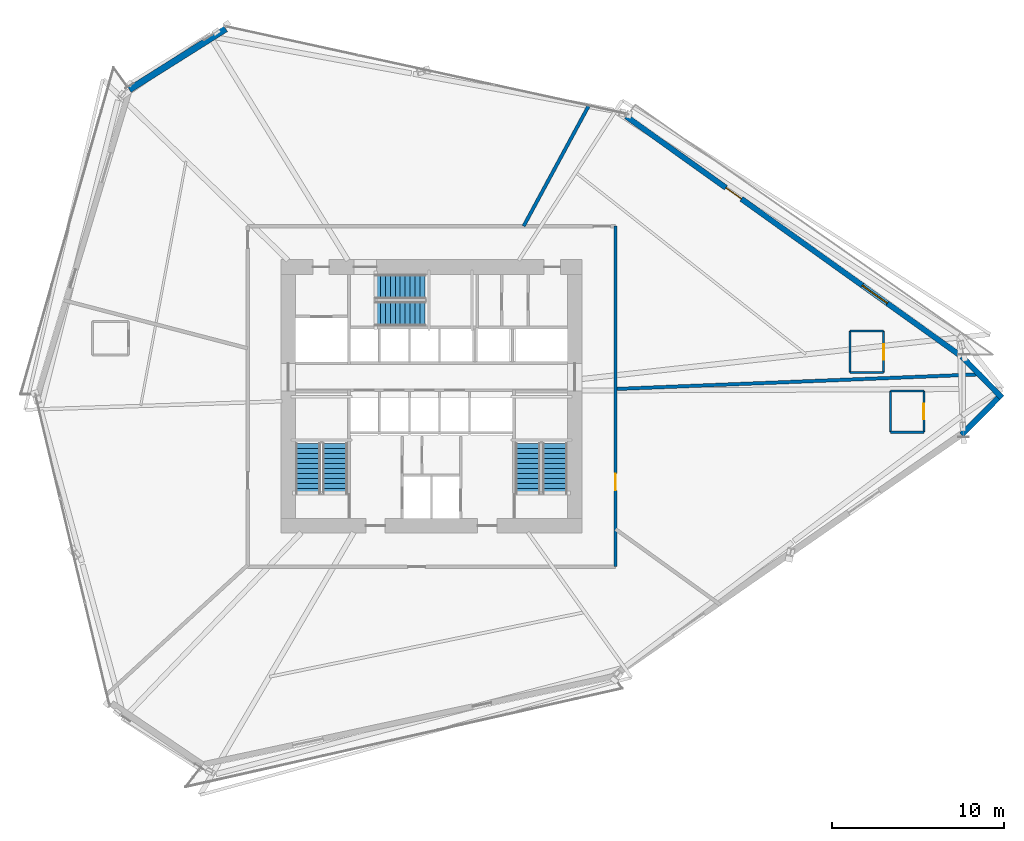
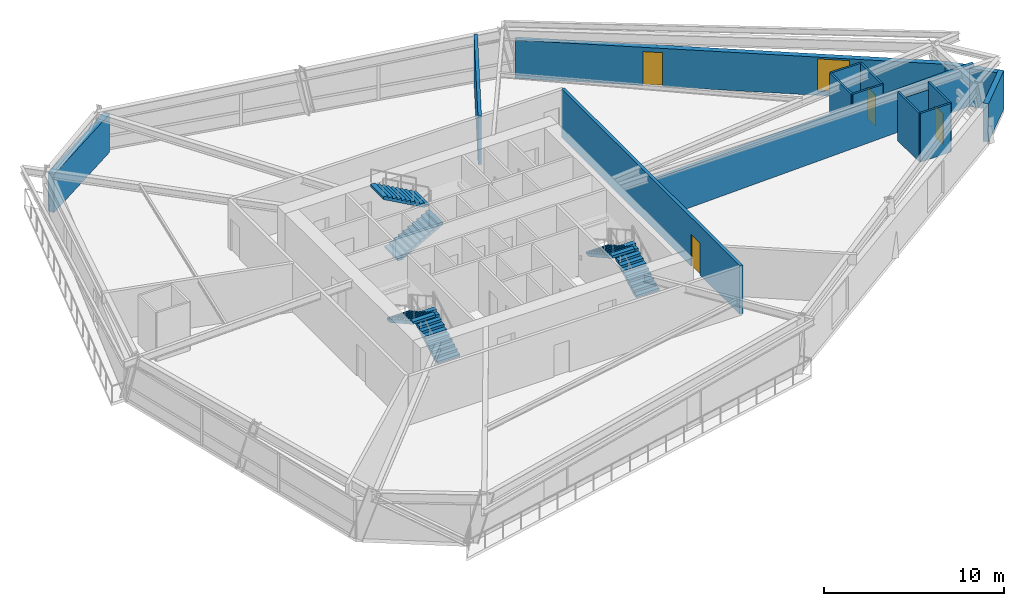
# One storey, part 18 of 21: 15 walls, 6 stair flights, 4 doors, 1 window, 5 openings, 3 elements without a shape of their own.
"""IFC4 building model written with IfcOpenShell, lengths in metres."""

import ifcopenshell
import ifcopenshell.guid

model = None  # the IFC model being written
_history = None  # IfcOwnerHistory: only IFC2X3 demands one
_inside = {}  # id of a spatial element -> (the spatial element, [elements in it])
_under = {}  # id of a project, library or spatial element -> (it, [spatial elements below it])
_declared = {}  # id of a project -> (the project, [libraries it declares])
_typed = {}  # id of a type object -> (the type object, [elements of that type])
_made_of = {}  # id of a material, layer set ... -> (it, [elements and type objects made of it])


def new_model(schema):
    """Start an empty IFC model of exactly this schema.

    Asked for "IFC4X3", IfcOpenShell would pick the latest addendum, in which some entities
    have other attributes; the version numbers below select the first issue.
    IFC2X3 requires an IfcOwnerHistory on every rooted entity: one is made here for all.
    """
    global model, _history
    if schema == "IFC4X3":
        model = ifcopenshell.file(schema_version=(4, 3, 0, 0))
    else:
        model = ifcopenshell.file(schema=schema)
    _inside.clear()
    _under.clear()
    _declared.clear()
    _typed.clear()
    _made_of.clear()
    _history = None
    if model.schema == "IFC2X3":
        org = make("IfcOrganization", Name="unknown")
        user = make(
            "IfcPersonAndOrganization",
            ThePerson=make("IfcPerson", FamilyName="unknown"),
            TheOrganization=org,
        )
        app = make(
            "IfcApplication",
            ApplicationDeveloper=org,
            Version="unknown",
            ApplicationFullName="unknown",
            ApplicationIdentifier="unknown",
        )
        _history = make(
            "IfcOwnerHistory",
            OwningUser=user,
            OwningApplication=app,
            ChangeAction="ADDED",
            CreationDate=0,
        )
    return model


def make(cls, **values):
    """One entity of the class cls with the attributes given. An attribute that is None is left unset."""
    return model.create_entity(
        cls, **{name: value for name, value in values.items() if value is not None}
    )


def rooted(cls, **values):
    """An entity with a GlobalId (a new one), such as an element, a storey or a relation."""
    return make(cls, GlobalId=ifcopenshell.guid.new(), OwnerHistory=_history, **values)


def si_unit(unit_type, name, prefix=None):
    """IfcSIUnit, for example si_unit("LENGTHUNIT", "METRE", prefix="MILLI")."""
    return make("IfcSIUnit", UnitType=unit_type, Prefix=prefix, Name=name)


def assignment(units):
    """IfcUnitAssignment: the units of a project."""
    return None if units is None else make("IfcUnitAssignment", Units=units)


def point(xyz):
    """IfcCartesianPoint."""
    return None if xyz is None else make("IfcCartesianPoint", Coordinates=xyz)


def direction(xyz):
    """IfcDirection."""
    return None if xyz is None else make("IfcDirection", DirectionRatios=xyz)


def frame(location, z_axis=None, x_axis=None):
    """IfcAxis2Placement3D, a coordinate frame: its origin and axes. An axis left out is left unset."""
    return make(
        "IfcAxis2Placement3D",
        Location=point(location),
        Axis=direction(z_axis),
        RefDirection=direction(x_axis),
    )


def frame_2d(location, x_axis=None):
    """IfcAxis2Placement2D, a coordinate frame in the plane: its origin and x axis."""
    return make(
        "IfcAxis2Placement2D", Location=point(location), RefDirection=direction(x_axis)
    )


def origin():
    """The frame at (0, 0, 0) with its axes left unset."""
    return frame((0.0, 0.0, 0.0))


def place(relative_to, where):
    """IfcLocalPlacement: puts the frame where relative to a parent placement (None: the world)."""
    return make(
        "IfcLocalPlacement", PlacementRelTo=relative_to, RelativePlacement=where
    )


def context(
    kind, dimensions, precision=None, world=None, true_north=None, identifier=None
):
    """IfcGeometricRepresentationContext, for example the 3D "Model" context."""
    return make(
        "IfcGeometricRepresentationContext",
        ContextIdentifier=identifier,
        ContextType=kind,
        CoordinateSpaceDimension=dimensions,
        Precision=precision,
        WorldCoordinateSystem=world,
        TrueNorth=true_north,
    )


def subcontext(parent, identifier, kind, view, scale=None):
    """IfcGeometricRepresentationSubContext, for example "Body" below "Model"."""
    return make(
        "IfcGeometricRepresentationSubContext",
        ContextIdentifier=identifier,
        ContextType=kind,
        ParentContext=parent,
        TargetScale=scale,
        TargetView=view,
    )


def project(units=None, contexts=None):
    """IfcProject with its units and contexts."""
    return rooted(
        "IfcProject",
        Name="project",
        RepresentationContexts=contexts,
        UnitsInContext=assignment(units),
    )


def spatial(cls, under=None, at=None, **own):
    """A site, building, storey or space (cls), placed at a placement, below another one or the project."""
    s = rooted(cls, ObjectPlacement=at, **own)
    if under is not None:
        _under.setdefault(under.id(), (under, []))[1].append(s)
    return s


def polyline(points):
    """IfcPolyline through the points."""
    return make("IfcPolyline", Points=[point(p) for p in points])


def profile(cls, at=None, kind="AREA", **sizes):
    """A parametric profile (cls). Its sizes go by their IFC names, for example OverallWidth=200.0."""
    return make(cls, ProfileType=kind, Position=at, **sizes)


def rectangle(**sizes):
    """IfcRectangleProfileDef."""
    return profile("IfcRectangleProfileDef", **sizes)


def outline(outer, holes=None, kind="AREA"):
    """IfcArbitraryClosedProfileDef: a profile drawn as a closed curve; with holes, ...WithVoids."""
    if holes is None:
        return make("IfcArbitraryClosedProfileDef", ProfileType=kind, OuterCurve=outer)
    return make(
        "IfcArbitraryProfileDefWithVoids",
        ProfileType=kind,
        OuterCurve=outer,
        InnerCurves=holes,
    )


def extrude(swept, where, along, depth):
    """IfcExtrudedAreaSolid: the profile swept, set in the frame where, extruded along a direction by depth."""
    return make(
        "IfcExtrudedAreaSolid",
        SweptArea=swept,
        Position=where,
        ExtrudedDirection=direction(along),
        Depth=depth,
    )


def shape(context_of_items, identifier, shape_type, items):
    """IfcShapeRepresentation: the items that make up one representation, for example the "Body"."""
    return make(
        "IfcShapeRepresentation",
        ContextOfItems=context_of_items,
        RepresentationIdentifier=identifier,
        RepresentationType=shape_type,
        Items=items,
    )


def source(mapping_origin, context_of_items, identifier, shape_type, items):
    """IfcRepresentationMap: a shape defined once, which mapped items show again and again."""
    return make(
        "IfcRepresentationMap",
        MappingOrigin=mapping_origin,
        MappedRepresentation=shape(context_of_items, identifier, shape_type, items),
    )


def transform(
    local_origin,
    x_axis=None,
    y_axis=None,
    z_axis=None,
    scale=None,
    scale2=None,
    scale3=None,
    uniform=True,
):
    """IfcCartesianTransformationOperator3D, or its non-uniform kind. x_axis, y_axis, z_axis: its Axis1, 2, 3."""
    if uniform:
        return make(
            "IfcCartesianTransformationOperator3D",
            Axis1=direction(x_axis),
            Axis2=direction(y_axis),
            LocalOrigin=point(local_origin),
            Scale=scale,
            Axis3=direction(z_axis),
        )
    return make(
        "IfcCartesianTransformationOperator3DnonUniform",
        Axis1=direction(x_axis),
        Axis2=direction(y_axis),
        LocalOrigin=point(local_origin),
        Scale=scale,
        Axis3=direction(z_axis),
        Scale2=scale2,
        Scale3=scale3,
    )


def mapped(mapping_source, mapping_target):
    """IfcMappedItem: shows the shape of a source again, moved by a transform."""
    return make(
        "IfcMappedItem", MappingSource=mapping_source, MappingTarget=mapping_target
    )


def material(Name=None, Category=None):
    """IfcMaterial."""
    return make("IfcMaterial", Name=Name, Category=Category)


def layer(
    of_material, thickness, ventilated=None, Name=None, Category=None, Priority=None
):
    """IfcMaterialLayer: one layer of a wall or slab, of a material (None: an air gap)."""
    return make(
        "IfcMaterialLayer",
        Material=of_material,
        LayerThickness=thickness,
        IsVentilated=ventilated,
        Name=Name,
        Category=Category,
        Priority=Priority,
    )


def layer_set(layers, Name=None):
    """IfcMaterialLayerSet."""
    return make("IfcMaterialLayerSet", MaterialLayers=layers, LayerSetName=Name)


def made_of(thing, what):
    """Note that an element or type object is made of a material, layer set ...; save() writes the relation."""
    if what is not None:
        _made_of.setdefault(what.id(), (what, []))[1].append(thing)
    return thing


def type_object(cls, material=None, **own):
    """A type object (cls), such as IfcWallType, which elements share."""
    return made_of(rooted(cls, **own), material)


def type_shapes(of_type, sources):
    """Give a type object the sources (RepresentationMaps) that its elements show as mapped items."""
    of_type.RepresentationMaps = sources


def element(
    cls,
    number,
    at=None,
    inside=None,
    cuts=None,
    type_object=None,
    material=None,
    context=None,
    identifier="Body",
    shape_type=None,
    held_by="IfcProductDefinitionShape",
    body=None,
    shapes=None,
    **own,
):
    """One element of the class cls, such as IfcWall. Its Tag is "e" and its number.

    at: its placement. inside: the storey or other place that contains it. cuts: it is an
    opening in that element (IfcRelVoidsElement). A single representation is given by context,
    identifier, shape_type and body (its items); several are given by shapes. held_by: the class
    of the entity that holds the representations. save() writes the other relations.
    """
    e = rooted(cls, Tag="e%d" % number, ObjectPlacement=at, **own)
    if body is not None:
        shapes = [shape(context, identifier, shape_type, body)]
    if shapes is not None:
        e.Representation = make(held_by, Representations=shapes)
    if inside is not None:
        _inside.setdefault(inside.id(), (inside, []))[1].append(e)
    if cuts is not None:
        rooted(
            "IfcRelVoidsElement", RelatingBuildingElement=cuts, RelatedOpeningElement=e
        )
    if type_object is not None:
        _typed.setdefault(type_object.id(), (type_object, []))[1].append(e)
    return made_of(e, material)


def fill(opening, filler):
    """IfcRelFillsElement: the door or window that sits in an opening."""
    return rooted(
        "IfcRelFillsElement",
        RelatingOpeningElement=opening,
        RelatedBuildingElement=filler,
    )


def aggregate(whole, parts):
    """IfcRelAggregates: a whole, such as a stair, and the parts it consists of."""
    return rooted("IfcRelAggregates", RelatingObject=whole, RelatedObjects=parts)


def save(model, path):
    """Write the relations noted so far, then the file.

    IfcRelAggregates (storeys below a building ...), IfcRelContainedInSpatialStructure (elements
    in a storey), IfcRelDefinesByType, IfcRelAssociatesMaterial and IfcRelDeclares: one each for
    every whole, place, type object, material and project.
    """
    for whole, parts in _under.values():
        aggregate(whole, parts)
    for where, things in _inside.values():
        rooted(
            "IfcRelContainedInSpatialStructure",
            RelatedElements=things,
            RelatingStructure=where,
        )
    for kind, things in _typed.values():
        rooted("IfcRelDefinesByType", RelatedObjects=things, RelatingType=kind)
    for what, things in _made_of.values():
        rooted("IfcRelAssociatesMaterial", RelatedObjects=things, RelatingMaterial=what)
    for by, libraries in _declared.values():
        rooted("IfcRelDeclares", RelatingContext=by, RelatedDefinitions=libraries)
    model.write(path)


model = new_model("IFC4")

# Units and contexts
model_context = context("Model", 3, precision=1e-05, world=origin(), true_north=direction((0.0, 1.0)))
body_context = subcontext(model_context, "Body", "Model", "MODEL_VIEW")
ifc_project = project(units=[si_unit("LENGTHUNIT", "METRE"), si_unit("AREAUNIT", "SQUARE_METRE"), si_unit("VOLUMEUNIT", "CUBIC_METRE"), si_unit("PLANEANGLEUNIT", "RADIAN"), si_unit("MASSUNIT", "GRAM", prefix="KILO")], contexts=[model_context])

# Site, building, storey
site_placement = place(None, origin())
site = spatial("IfcSite", under=ifc_project, at=site_placement, CompositionType="ELEMENT")
building_placement = place(site_placement, origin())
building = spatial("IfcBuilding", under=site, at=building_placement, Name="Olszyna Solenne Hotel", CompositionType="ELEMENT")
storey_placement = place(building_placement, frame((0.0, 0.0, 39.949951171875)))
storey = spatial("IfcBuildingStorey", under=building, at=storey_placement, Name="L09", CompositionType="ELEMENT", Elevation=39.949951171875)

# Wall, openings, door, window
ifc_material_1 = material(Name="Precast concrete C45/55", Category="concrete")
ifc_layer_1 = layer(ifc_material_1, 0.320068359375, Name="Precast concrete C45/55")
ifc_layer_set_1 = layer_set([ifc_layer_1], Name="Precast concrete C45/55")
wall_type_1 = type_object("IfcWallType", Name="WL-EX320", PredefinedType="SOLIDWALL", material=ifc_layer_set_1)
wall_1_placement = place(storey_placement, frame((49.31884765625, 42.885009765625, 0.0), z_axis=(0.0, 0.0, 1.0), x_axis=(0.813214896831, -0.581963513953, 0.0)))
wall_1 = element("IfcWall", 1, at=wall_1_placement, inside=storey, type_object=wall_type_1, Name="Exterior terracotta-precast frame wall WL-EX320 EW-L09-07", PredefinedType="SOLIDWALL", context=body_context, shape_type="SweptSolid", body=[
    extrude(rectangle(XDim=24.03173828125, YDim=0.320068359375, at=frame_2d((12.015869140625, 0.0))), origin(), (0.0, 0.0, 1.0), 2.592041015625),
])
opening_1_placement = place(wall_1_placement, frame((7.139892578125, 0.0, 0.0)))
opening_1 = element("IfcOpeningElement", 2, at=opening_1_placement, cuts=wall_1, Name="Opening LDG-L09-1", PredefinedType="OPENING", context=body_context, shape_type="SweptSolid", body=[
    extrude(rectangle(XDim=1.10009765625, YDim=2.300048828125, at=frame_2d((0.550048828125, 1.14990234375))), frame((0.0, 0.169921875, 0.0), z_axis=(0.0, -1.0, 0.0), x_axis=(1.0, 0.0, 0.0)), (0.0, 0.0, 1.0), 0.340087890625),
])
opening_2_placement = place(wall_1_placement, frame((16.884033203125, 0.0, 0.27197265625)))
opening_2 = element("IfcOpeningElement", 3, at=opening_2_placement, cuts=wall_1, Name="Opening WN-L09-038", PredefinedType="OPENING", context=body_context, shape_type="SweptSolid", body=[
    extrude(rectangle(XDim=1.800048828125, YDim=2.199951171875, at=frame_2d((0.89990234375, 1.10009765625))), frame((0.0, 0.169921875, 0.0), z_axis=(0.0, -1.0, 0.0), x_axis=(1.0, 0.0, 0.0)), (0.0, 0.0, 1.0), 0.340087890625),
])
ifc_material_2 = material(Name="Anodised bronze aluminium", Category="aluminium")
door_type_1 = type_object("IfcDoorType", Name="DR-LG1", OperationType="NOTDEFINED", PredefinedType="DOOR", material=ifc_material_2)
shared_shape_1 = source(origin(), body_context, "Body", "SweptSolid", [
    extrude(rectangle(XDim=1.10009765625, YDim=2.300048828125, at=frame_2d((0.550048828125, 1.14990234375))), frame((0.0, 0.02490234375, 0.0), z_axis=(0.0, -1.0, 0.0), x_axis=(1.0, 0.0, 0.0)), (0.0, 0.0, 1.0), 0.050048828125),
])
type_shapes(door_type_1, [shared_shape_1])
door_1_placement = place(opening_1_placement, origin())
door_1 = element("IfcDoor", 4, at=door_1_placement, inside=storey, type_object=door_type_1, Name="Exterior loggia balcony door DR-LG1 LDG-L09-1", OperationType="SINGLE_SWING_LEFT", OverallHeight=2.300048828125, OverallWidth=1.10009765625, PredefinedType="DOOR", context=body_context, shape_type="MappedRepresentation", body=[
    mapped(shared_shape_1, transform((0.0, 0.0, 0.0), x_axis=(1.0, 0.0, 0.0), y_axis=(0.0, 1.0, 0.0), z_axis=(0.0, 0.0, 1.0), scale=1.0)),
])
fill(opening_1, door_1)
ifc_material_3 = material(Name="Low-E triple glazing", Category="glass")
window_type = type_object("IfcWindowType", Name="WN-HT1", PartitioningType="SINGLE_PANEL", PredefinedType="WINDOW", material=ifc_material_3)
shared_shape_2 = source(origin(), body_context, "Body", "SweptSolid", [
    extrude(rectangle(XDim=1.800048828125, YDim=2.199951171875, at=frame_2d((0.89990234375, 1.10009765625))), frame((0.0, 0.030029296875, 0.0), z_axis=(0.0, -1.0, 0.0), x_axis=(1.0, 0.0, 0.0)), (0.0, 0.0, 1.0), 0.06005859375),
])
type_shapes(window_type, [shared_shape_2])
window_placement = place(opening_2_placement, origin())
window = element("IfcWindow", 5, at=window_placement, inside=storey, type_object=window_type, Name="Loggia room window WN-HT1 WN-L09-038", OverallHeight=2.199951171875, OverallWidth=1.800048828125, PartitioningType="SINGLE_PANEL", PredefinedType="WINDOW", context=body_context, shape_type="MappedRepresentation", body=[
    mapped(shared_shape_2, transform((0.0, 0.0, 0.0), x_axis=(1.0, 0.0, 0.0), y_axis=(0.0, 1.0, 0.0), z_axis=(0.0, 0.0, 1.0), scale=1.0)),
])
fill(opening_2, window)

# Walls
for number, where, z_axis, x_axis, name in (
    (6, (68.84033203125, 28.91796875, 0.0), (0.0, 0.0, 1.0), (0.697653069872, -0.716435757133, 0.0), "Exterior terracotta-precast frame wall WL-EX320 EW-L09-08"),
    (7, (71.180908203125, 26.739501953125, 0.0), (0.0, 0.0, 1.0), (-0.703859624923, -0.710339093957, 0.0), "Exterior terracotta-precast frame wall WL-EX320 EW-L09-09"),
):
    element("IfcWall", number, at=place(storey_placement, frame(where, z_axis=z_axis, x_axis=x_axis)), inside=storey, type_object=wall_type_1, Name=name, PredefinedType="SOLIDWALL", context=body_context, shape_type="SweptSolid", body=[
        extrude(rectangle(XDim=3.353515625, YDim=0.320068359375, at=frame_2d((1.6767578125, 0.0))), origin(), (0.0, 0.0, 1.0), 2.592041015625),
    ])
ifc_material_4 = material(Name="Terracotta cladding on precast concrete C45/55", Category="masonry")
ifc_layer_2 = layer(ifc_material_4, 0.3798828125, Name="Terracotta cladding on precast concrete C45/55")
ifc_layer_set_2 = layer_set([ifc_layer_2], Name="Terracotta cladding on precast concrete C45/55")
wall_type_2 = type_object("IfcWallType", Name="WL-EX380", PredefinedType="SOLIDWALL", material=ifc_layer_set_2)
wall_2_placement = place(storey_placement, frame((20.422119140625, 44.441650390625, 0.0), z_axis=(0.0, 0.0, 1.0), x_axis=(0.846162743233, 0.532924583749, 0.0)))
element("IfcWall", 8, at=wall_2_placement, inside=storey, type_object=wall_type_2, Name="Exterior terracotta-precast frame wall WL-EX380 EW-L09-05", PredefinedType="SOLIDWALL", context=body_context, shape_type="SweptSolid", body=[
    extrude(rectangle(XDim=6.631103515625, YDim=0.3798828125, at=frame_2d((3.3154296875, 0.0))), origin(), (0.0, 0.0, 1.0), 2.592041015625),
])

# Wall, opening, door
ifc_material_5 = material(Name="Acoustic gypsum partition", Category="gypsum")
ifc_layer_3 = layer(ifc_material_5, 0.125, Name="Acoustic gypsum partition")
ifc_layer_set_3 = layer_set([ifc_layer_3], Name="Acoustic gypsum partition")
wall_type_3 = type_object("IfcWallType", Name="WL-PT125", PredefinedType="PARTITIONING", material=ifc_layer_set_3)
wall_3_placement = place(storey_placement, frame((64.2919921875, 27.992919921875, 0.0), z_axis=(0.0, 0.0, 1.0), x_axis=(0.0, 1.0, 0.0)))
wall_3 = element("IfcWall", 9, at=wall_3_placement, inside=storey, type_object=wall_type_3, Name="Interior acoustic partition WL-PT125 PW-L09-0505", PredefinedType="PARTITIONING", context=body_context, shape_type="SweptSolid", body=[
    extrude(rectangle(XDim=2.400146484375, YDim=0.125, at=frame_2d((1.2001953125, 0.0))), origin(), (0.0, 0.0, 1.0), 3.300048828125),
])
opening_3_placement = place(wall_3_placement, frame((0.75, 0.0, 0.0)))
opening_3 = element("IfcOpeningElement", 10, at=opening_3_placement, cuts=wall_3, Name="Opening DR-L09-0108", PredefinedType="OPENING", context=body_context, shape_type="SweptSolid", body=[
    extrude(rectangle(XDim=0.89990234375, YDim=2.10009765625, at=frame_2d((0.449951171875, 1.050048828125))), frame((0.0, 0.072509765625, 0.0), z_axis=(0.0, -1.0, 0.0), x_axis=(1.0, 0.0, 0.0)), (0.0, 0.0, 1.0), 0.14501953125),
])
ifc_material_6 = material(Name="Timber hardwood", Category="wood")
door_type_2 = type_object("IfcDoorType", Name="DR-WC1", OperationType="NOTDEFINED", PredefinedType="DOOR", material=ifc_material_6)
shared_shape_3 = source(origin(), body_context, "Body", "SweptSolid", [
    extrude(rectangle(XDim=0.89990234375, YDim=2.10009765625, at=frame_2d((0.449951171875, 1.050048828125))), frame((0.0, 0.02490234375, 0.0), z_axis=(0.0, -1.0, 0.0), x_axis=(1.0, 0.0, 0.0)), (0.0, 0.0, 1.0), 0.050048828125),
])
type_shapes(door_type_2, [shared_shape_3])
door_2_placement = place(opening_3_placement, origin())
door_2 = element("IfcDoor", 11, at=door_2_placement, inside=storey, type_object=door_type_2, Name="En-Suite Bathroom Door DR-L09-0108", OperationType="SINGLE_SWING_RIGHT", OverallHeight=2.10009765625, OverallWidth=0.89990234375, PredefinedType="DOOR", context=body_context, shape_type="MappedRepresentation", body=[
    mapped(shared_shape_3, transform((0.0, 0.0, 0.0), x_axis=(1.0, 0.0, 0.0), y_axis=(0.0, 1.0, 0.0), z_axis=(0.0, 0.0, 1.0), scale=1.0)),
])
fill(opening_3, door_2)

# Walls
wall_4_placement = place(storey_placement, frame((64.2919921875, 30.39306640625, 0.0), z_axis=(0.0, 0.0, 1.0), x_axis=(-1.0, 0.0, 0.0)))
element("IfcWall", 12, at=wall_4_placement, inside=storey, type_object=wall_type_3, Name="Interior acoustic partition WL-PT125 PW-L09-0506", PredefinedType="PARTITIONING", context=body_context, shape_type="SweptSolid", body=[
    extrude(rectangle(XDim=1.949951171875, YDim=0.125, at=frame_2d((0.97509765625, 0.0))), origin(), (0.0, 0.0, 1.0), 3.300048828125),
])
wall_5_placement = place(storey_placement, frame((62.342041015625, 30.39306640625, 0.0), z_axis=(0.0, 0.0, 1.0), x_axis=(0.0, -1.0, 0.0)))
element("IfcWall", 13, at=wall_5_placement, inside=storey, type_object=wall_type_3, Name="Interior acoustic partition WL-PT125 PW-L09-0507", PredefinedType="PARTITIONING", context=body_context, shape_type="SweptSolid", body=[
    extrude(rectangle(XDim=2.400146484375, YDim=0.125, at=frame_2d((1.2001953125, 0.0))), origin(), (0.0, 0.0, 1.0), 3.300048828125),
])
wall_6_placement = place(storey_placement, frame((62.342041015625, 27.992919921875, 0.0), z_axis=(0.0, 0.0, 1.0), x_axis=(1.0, 0.0, 0.0)))
element("IfcWall", 14, at=wall_6_placement, inside=storey, type_object=wall_type_3, Name="Interior acoustic partition WL-PT125 PW-L09-0508", PredefinedType="PARTITIONING", context=body_context, shape_type="SweptSolid", body=[
    extrude(rectangle(XDim=1.949951171875, YDim=0.125, at=frame_2d((0.97509765625, 0.0))), origin(), (0.0, 0.0, 1.0), 3.300048828125),
])

# Wall, opening, door
wall_7_placement = place(storey_placement, frame((66.635009765625, 24.51611328125, 0.0), z_axis=(0.0, 0.0, 1.0), x_axis=(0.0, 1.0, 0.0)))
wall_7 = element("IfcWall", 15, at=wall_7_placement, inside=storey, type_object=wall_type_3, Name="Interior acoustic partition WL-PT125 PW-L09-0513", PredefinedType="PARTITIONING", context=body_context, shape_type="SweptSolid", body=[
    extrude(rectangle(XDim=2.39990234375, YDim=0.125, at=frame_2d((1.199951171875, 0.0))), origin(), (0.0, 0.0, 1.0), 3.300048828125),
])
opening_4_placement = place(wall_7_placement, frame((0.75, 0.0, 0.0)))
opening_4 = element("IfcOpeningElement", 16, at=opening_4_placement, cuts=wall_7, Name="Opening DR-L09-0110", PredefinedType="OPENING", context=body_context, shape_type="SweptSolid", body=[
    extrude(rectangle(XDim=0.89990234375, YDim=2.10009765625, at=frame_2d((0.449951171875, 1.050048828125))), frame((0.0, 0.072509765625, 0.0), z_axis=(0.0, -1.0, 0.0), x_axis=(1.0, 0.0, 0.0)), (0.0, 0.0, 1.0), 0.14501953125),
])
door_3_placement = place(opening_4_placement, origin())
door_3 = element("IfcDoor", 17, at=door_3_placement, inside=storey, type_object=door_type_2, Name="En-Suite Bathroom Door DR-L09-0110", OperationType="SINGLE_SWING_RIGHT", OverallHeight=2.10009765625, OverallWidth=0.89990234375, PredefinedType="DOOR", context=body_context, shape_type="MappedRepresentation", body=[
    mapped(shared_shape_3, transform((0.0, 0.0, 0.0), x_axis=(1.0, 0.0, 0.0), y_axis=(0.0, 1.0, 0.0), z_axis=(0.0, 0.0, 1.0), scale=1.0)),
])
fill(opening_4, door_3)

# Walls
wall_8_placement = place(storey_placement, frame((66.635009765625, 26.916015625, 0.0), z_axis=(0.0, 0.0, 1.0), x_axis=(-1.0, 0.0, 0.0)))
element("IfcWall", 18, at=wall_8_placement, inside=storey, type_object=wall_type_3, Name="Interior acoustic partition WL-PT125 PW-L09-0514", PredefinedType="PARTITIONING", context=body_context, shape_type="SweptSolid", body=[
    extrude(rectangle(XDim=1.949951171875, YDim=0.125, at=frame_2d((0.97509765625, 0.0))), origin(), (0.0, 0.0, 1.0), 2.795166015625),
])
wall_9_placement = place(storey_placement, frame((64.68505859375, 26.916015625, 0.0), z_axis=(0.0, 0.0, 1.0), x_axis=(0.0, -1.0, 0.0)))
element("IfcWall", 19, at=wall_9_placement, inside=storey, type_object=wall_type_3, Name="Interior acoustic partition WL-PT125 PW-L09-0515", PredefinedType="PARTITIONING", context=body_context, shape_type="SweptSolid", body=[
    extrude(rectangle(XDim=2.39990234375, YDim=0.125, at=frame_2d((1.199951171875, 0.0))), origin(), (0.0, 0.0, 1.0), 3.300048828125),
])
wall_10_placement = place(storey_placement, frame((64.68505859375, 24.51611328125, 0.0), z_axis=(0.0, 0.0, 1.0), x_axis=(1.0, 0.0, 0.0)))
element("IfcWall", 20, at=wall_10_placement, inside=storey, type_object=wall_type_3, Name="Interior acoustic partition WL-PT125 PW-L09-0516", PredefinedType="PARTITIONING", context=body_context, shape_type="SweptSolid", body=[
    extrude(rectangle(XDim=1.949951171875, YDim=0.125, at=frame_2d((0.97509765625, 0.0))), origin(), (0.0, 0.0, 1.0), 3.300048828125),
])
ifc_layer_4 = layer(ifc_material_5, 0.199951171875, Name="Acoustic gypsum partition")
ifc_layer_set_4 = layer_set([ifc_layer_4], Name="Acoustic gypsum partition")
wall_type_4 = type_object("IfcWallType", Name="WL-PT200", PredefinedType="PARTITIONING", material=ifc_layer_set_4)
wall_11_placement = place(storey_placement, frame((48.699951171875, 27.02978515625, 0.0), z_axis=(0.0, 0.0, 1.0), x_axis=(0.999194605592, 0.040126551766, 0.0)))
element("IfcWall", 21, at=wall_11_placement, inside=storey, type_object=wall_type_4, Name="Interior acoustic partition WL-PT200 PW-L09-0500", PredefinedType="PARTITIONING", context=body_context, shape_type="SweptSolid", body=[
    extrude(rectangle(XDim=21.343505859375, YDim=0.199951171875, at=frame_2d((10.671875, 0.0))), origin(), (0.0, 0.0, 1.0), 2.795166015625),
])
wall_12_placement = place(storey_placement, frame((43.354248046875, 36.5, 0.0), z_axis=(0.0, 0.0, 1.0), x_axis=(0.475722237769, 0.879595561887, 0.0)))
element("IfcWall", 22, at=wall_12_placement, inside=storey, type_object=wall_type_4, Name="Interior acoustic partition WL-PT200 PW-L09-0501", PredefinedType="PARTITIONING", context=body_context, shape_type="SweptSolid", body=[
    extrude(rectangle(XDim=7.937744140625, YDim=0.199951171875, at=frame_2d((3.96875, 0.0))), origin(), (0.0, 0.0, 1.0), 3.300048828125),
])

# Wall, opening, door
wall_13_placement = place(storey_placement, frame((48.699951171875, 16.699951171875, 0.0), z_axis=(0.0, 0.0, 1.0), x_axis=(0.0, 1.0, 0.0)))
wall_13 = element("IfcWall", 23, at=wall_13_placement, inside=storey, type_object=wall_type_4, Name="Interior acoustic partition WL-PT200 PW-L09-0520", PredefinedType="PARTITIONING", context=body_context, shape_type="SweptSolid", body=[
    extrude(rectangle(XDim=19.800048828125, YDim=0.199951171875, at=frame_2d((9.89990234375, 0.0))), origin(), (0.0, 0.0, 1.0), 3.300048828125),
])
opening_5_placement = place(wall_13_placement, frame((4.430908203125, 0.0, 0.0)))
opening_5 = element("IfcOpeningElement", 24, at=opening_5_placement, cuts=wall_13, Name="Opening DR-L09-0115", PredefinedType="OPENING", context=body_context, shape_type="SweptSolid", body=[
    extrude(rectangle(XDim=0.97998046875, YDim=2.14990234375, at=frame_2d((0.489990234375, 1.074951171875))), frame((0.0, 0.10986328125, 0.0), z_axis=(0.0, -1.0, 0.0), x_axis=(1.0, 0.0, 0.0)), (0.0, 0.0, 1.0), 0.219970703125),
])
door_type_3 = type_object("IfcDoorType", Name="DR-RM1", OperationType="NOTDEFINED", PredefinedType="DOOR", material=ifc_material_6)
shared_shape_4 = source(origin(), body_context, "Body", "SweptSolid", [
    extrude(rectangle(XDim=0.97998046875, YDim=2.14990234375, at=frame_2d((0.489990234375, 1.074951171875))), frame((0.0, 0.02490234375, 0.0), z_axis=(0.0, -1.0, 0.0), x_axis=(1.0, 0.0, 0.0)), (0.0, 0.0, 1.0), 0.050048828125),
])
type_shapes(door_type_3, [shared_shape_4])
door_4_placement = place(opening_5_placement, origin())
door_4 = element("IfcDoor", 25, at=door_4_placement, inside=storey, type_object=door_type_3, Name="Executive Reading Salon Entrance Door DR-L09-0115", OperationType="SINGLE_SWING_RIGHT", OverallHeight=2.14990234375, OverallWidth=0.97998046875, PredefinedType="DOOR", context=body_context, shape_type="MappedRepresentation", body=[
    mapped(shared_shape_4, transform((0.0, 0.0, 0.0), x_axis=(1.0, 0.0, 0.0), y_axis=(0.0, 1.0, 0.0), z_axis=(0.0, 0.0, 1.0), scale=1.0)),
])
fill(opening_5, door_4)

# Stair, stair flights
ifc_material_7 = material(Name="Concrete C40/50", Category="concrete")
stair_type = type_object("IfcStairType", Name="STR-C1", PredefinedType="TWO_QUARTER_WINDING_STAIR", material=ifc_material_7)
stair_1_placement = place(storey_placement, origin())
stair_1 = element("IfcStair", 26, at=stair_1_placement, inside=storey, type_object=stair_type, Name="L09 ST1", PredefinedType="TWO_QUARTER_WINDING_STAIR")
stair_flight_type = type_object("IfcStairFlightType", Name="FLT-C1", PredefinedType="STRAIGHT", material=ifc_material_7)
stair_flight_1_placement = place(storey_placement, frame((32.39501953125, 20.949951171875, 0.0), z_axis=(0.0, 0.0, 1.0), x_axis=(0.0, 1.0, 0.0)))
stair_flight_1 = element("IfcStairFlight", 27, at=stair_flight_1_placement, type_object=stair_flight_type, Name="ST1 flight 1", NumberOfRisers=11, NumberOfTreads=10, PredefinedType="STRAIGHT", RiserHeight=0.161363636, TreadLength=0.29, context=body_context, shape_type="SweptSolid", body=[
    extrude(outline(polyline([(0.0, 0.0), (0.0, 0.161376953125), (0.2900390625, 0.161376953125), (0.2900390625, 0.32275390625), (0.580078125, 0.32275390625), (0.580078125, 0.484130859375), (0.8701171875, 0.484130859375), (0.8701171875, 0.6455078125), (1.159912109375, 0.6455078125), (1.159912109375, 0.806884765625), (1.449951171875, 0.806884765625), (1.449951171875, 0.96826171875), (1.739990234375, 0.96826171875), (1.739990234375, 1.129638671875), (2.030029296875, 1.129638671875), (2.030029296875, 1.291015625), (2.320068359375, 1.291015625), (2.320068359375, 1.452392578125), (2.610107421875, 1.452392578125), (2.610107421875, 1.613525390625), (2.89990234375, 1.613525390625), (2.89990234375, 1.77490234375), (2.89990234375, 1.442138671875), (0.308349609375, 0.0), (0.0, 0.0)])), frame((0.0, 0.72509765625, 0.0), z_axis=(0.0, -1.0, 0.0), x_axis=(1.0, 0.0, 0.0)), (0.0, 0.0, 1.0), 1.449951171875),
])
stair_flight_2_placement = place(storey_placement, frame((30.824951171875, 23.85009765625, 1.775146484375), z_axis=(0.0, 0.0, 1.0), x_axis=(0.0, -1.0, 0.0)))
stair_flight_2 = element("IfcStairFlight", 28, at=stair_flight_2_placement, type_object=stair_flight_type, Name="ST1 flight 2", NumberOfRisers=11, NumberOfTreads=10, PredefinedType="STRAIGHT", RiserHeight=0.161363636, TreadLength=0.29, context=body_context, shape_type="SweptSolid", body=[
    extrude(outline(polyline([(0.0, 0.0), (0.0, 0.161376953125), (0.2900390625, 0.161376953125), (0.2900390625, 0.32275390625), (0.580078125, 0.32275390625), (0.580078125, 0.484130859375), (0.8701171875, 0.484130859375), (0.8701171875, 0.6455078125), (1.159912109375, 0.6455078125), (1.159912109375, 0.806884765625), (1.449951171875, 0.806884765625), (1.449951171875, 0.96826171875), (1.739990234375, 0.96826171875), (1.739990234375, 1.129638671875), (2.030029296875, 1.129638671875), (2.030029296875, 1.291015625), (2.320068359375, 1.291015625), (2.320068359375, 1.452392578125), (2.610107421875, 1.452392578125), (2.610107421875, 1.613525390625), (2.89990234375, 1.613525390625), (2.89990234375, 1.77490234375), (2.89990234375, 1.442138671875), (0.308349609375, 0.0), (0.0, 0.0)])), frame((0.0, 0.72509765625, 0.0), z_axis=(0.0, -1.0, 0.0), x_axis=(1.0, 0.0, 0.0)), (0.0, 0.0, 1.0), 1.449951171875),
])
aggregate(stair_1, [stair_flight_1, stair_flight_2])

stair_2_placement = place(storey_placement, origin())
stair_2 = element("IfcStair", 29, at=stair_2_placement, inside=storey, type_object=stair_type, Name="L09 ST2", PredefinedType="TWO_QUARTER_WINDING_STAIR")
stair_flight_3_placement = place(storey_placement, frame((45.175048828125, 20.949951171875, 0.0), z_axis=(0.0, 0.0, 1.0), x_axis=(0.0, 1.0, 0.0)))
stair_flight_3 = element("IfcStairFlight", 30, at=stair_flight_3_placement, type_object=stair_flight_type, Name="ST2 flight 1", NumberOfRisers=11, NumberOfTreads=10, PredefinedType="STRAIGHT", RiserHeight=0.161363636, TreadLength=0.29, context=body_context, shape_type="SweptSolid", body=[
    extrude(outline(polyline([(0.0, 0.0), (0.0, 0.161376953125), (0.2900390625, 0.161376953125), (0.2900390625, 0.32275390625), (0.580078125, 0.32275390625), (0.580078125, 0.484130859375), (0.8701171875, 0.484130859375), (0.8701171875, 0.6455078125), (1.159912109375, 0.6455078125), (1.159912109375, 0.806884765625), (1.449951171875, 0.806884765625), (1.449951171875, 0.96826171875), (1.739990234375, 0.96826171875), (1.739990234375, 1.129638671875), (2.030029296875, 1.129638671875), (2.030029296875, 1.291015625), (2.320068359375, 1.291015625), (2.320068359375, 1.452392578125), (2.610107421875, 1.452392578125), (2.610107421875, 1.613525390625), (2.89990234375, 1.613525390625), (2.89990234375, 1.77490234375), (2.89990234375, 1.442138671875), (0.308349609375, 0.0), (0.0, 0.0)])), frame((0.0, 0.72509765625, 0.0), z_axis=(0.0, -1.0, 0.0), x_axis=(1.0, 0.0, 0.0)), (0.0, 0.0, 1.0), 1.449951171875),
])
stair_flight_4_placement = place(storey_placement, frame((43.60498046875, 23.85009765625, 1.775146484375), z_axis=(0.0, 0.0, 1.0), x_axis=(0.0, -1.0, 0.0)))
stair_flight_4 = element("IfcStairFlight", 31, at=stair_flight_4_placement, type_object=stair_flight_type, Name="ST2 flight 2", NumberOfRisers=11, NumberOfTreads=10, PredefinedType="STRAIGHT", RiserHeight=0.161363636, TreadLength=0.29, context=body_context, shape_type="SweptSolid", body=[
    extrude(outline(polyline([(0.0, 0.0), (0.0, 0.161376953125), (0.2900390625, 0.161376953125), (0.2900390625, 0.32275390625), (0.580078125, 0.32275390625), (0.580078125, 0.484130859375), (0.8701171875, 0.484130859375), (0.8701171875, 0.6455078125), (1.159912109375, 0.6455078125), (1.159912109375, 0.806884765625), (1.449951171875, 0.806884765625), (1.449951171875, 0.96826171875), (1.739990234375, 0.96826171875), (1.739990234375, 1.129638671875), (2.030029296875, 1.129638671875), (2.030029296875, 1.291015625), (2.320068359375, 1.291015625), (2.320068359375, 1.452392578125), (2.610107421875, 1.452392578125), (2.610107421875, 1.613525390625), (2.89990234375, 1.613525390625), (2.89990234375, 1.77490234375), (2.89990234375, 1.442138671875), (0.308349609375, 0.0), (0.0, 0.0)])), frame((0.0, 0.72509765625, 0.0), z_axis=(0.0, -1.0, 0.0), x_axis=(1.0, 0.0, 0.0)), (0.0, 0.0, 1.0), 1.449951171875),
])
aggregate(stair_2, [stair_flight_3, stair_flight_4])

stair_3_placement = place(storey_placement, origin())
stair_3 = element("IfcStair", 32, at=stair_3_placement, inside=storey, type_object=stair_type, Name="L09 ST3", PredefinedType="TWO_QUARTER_WINDING_STAIR")
stair_flight_5_placement = place(storey_placement, frame((34.72998046875, 31.405029296875, 0.0), z_axis=(0.0, 0.0, 1.0), x_axis=(1.0, 0.0, 0.0)))
stair_flight_5 = element("IfcStairFlight", 33, at=stair_flight_5_placement, type_object=stair_flight_type, Name="ST3 flight 1", NumberOfRisers=11, NumberOfTreads=10, PredefinedType="STRAIGHT", RiserHeight=0.161363636, TreadLength=0.29, context=body_context, shape_type="SweptSolid", body=[
    extrude(outline(polyline([(0.0, 0.0), (0.0, 0.161376953125), (0.2900390625, 0.161376953125), (0.2900390625, 0.32275390625), (0.580078125, 0.32275390625), (0.580078125, 0.484130859375), (0.8701171875, 0.484130859375), (0.8701171875, 0.6455078125), (1.159912109375, 0.6455078125), (1.159912109375, 0.806884765625), (1.449951171875, 0.806884765625), (1.449951171875, 0.96826171875), (1.739990234375, 0.96826171875), (1.739990234375, 1.129638671875), (2.030029296875, 1.129638671875), (2.030029296875, 1.291015625), (2.320068359375, 1.291015625), (2.320068359375, 1.452392578125), (2.610107421875, 1.452392578125), (2.610107421875, 1.613525390625), (2.89990234375, 1.613525390625), (2.89990234375, 1.77490234375), (2.89990234375, 1.442138671875), (0.308349609375, 0.0), (0.0, 0.0)])), frame((0.0, 0.72509765625, 0.0), z_axis=(0.0, -1.0, 0.0), x_axis=(1.0, 0.0, 0.0)), (0.0, 0.0, 1.0), 1.449951171875),
])
stair_flight_6_placement = place(storey_placement, frame((37.6298828125, 32.97509765625, 1.775146484375), z_axis=(0.0, 0.0, 1.0), x_axis=(-1.0, 0.0, 0.0)))
stair_flight_6 = element("IfcStairFlight", 34, at=stair_flight_6_placement, type_object=stair_flight_type, Name="ST3 flight 2", NumberOfRisers=11, NumberOfTreads=10, PredefinedType="STRAIGHT", RiserHeight=0.161363636, TreadLength=0.29, context=body_context, shape_type="SweptSolid", body=[
    extrude(outline(polyline([(0.0, 0.0), (0.0, 0.161376953125), (0.2900390625, 0.161376953125), (0.2900390625, 0.32275390625), (0.580078125, 0.32275390625), (0.580078125, 0.484130859375), (0.8701171875, 0.484130859375), (0.8701171875, 0.6455078125), (1.159912109375, 0.6455078125), (1.159912109375, 0.806884765625), (1.449951171875, 0.806884765625), (1.449951171875, 0.96826171875), (1.739990234375, 0.96826171875), (1.739990234375, 1.129638671875), (2.030029296875, 1.129638671875), (2.030029296875, 1.291015625), (2.320068359375, 1.291015625), (2.320068359375, 1.452392578125), (2.610107421875, 1.452392578125), (2.610107421875, 1.613525390625), (2.89990234375, 1.613525390625), (2.89990234375, 1.77490234375), (2.89990234375, 1.442138671875), (0.308349609375, 0.0), (0.0, 0.0)])), frame((0.0, 0.72509765625, 0.0), z_axis=(0.0, -1.0, 0.0), x_axis=(1.0, 0.0, 0.0)), (0.0, 0.0, 1.0), 1.449951171875),
])
aggregate(stair_3, [stair_flight_5, stair_flight_6])

save(model, "model.ifc")
